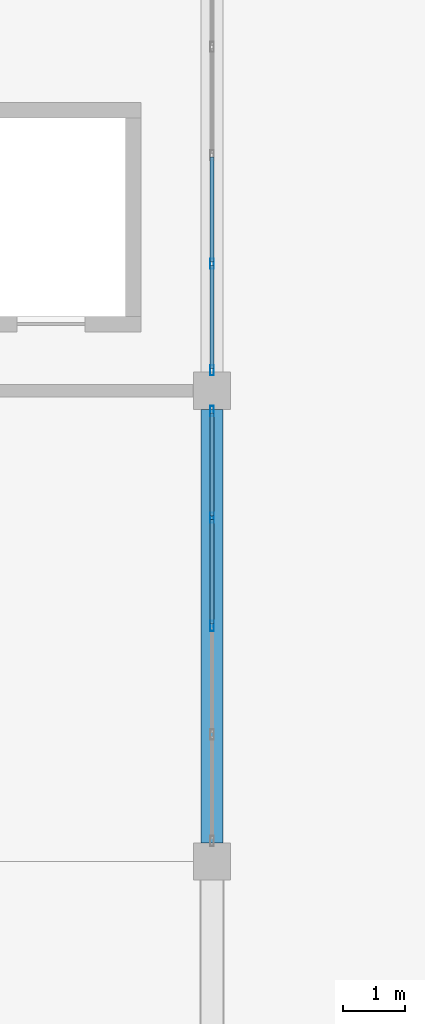
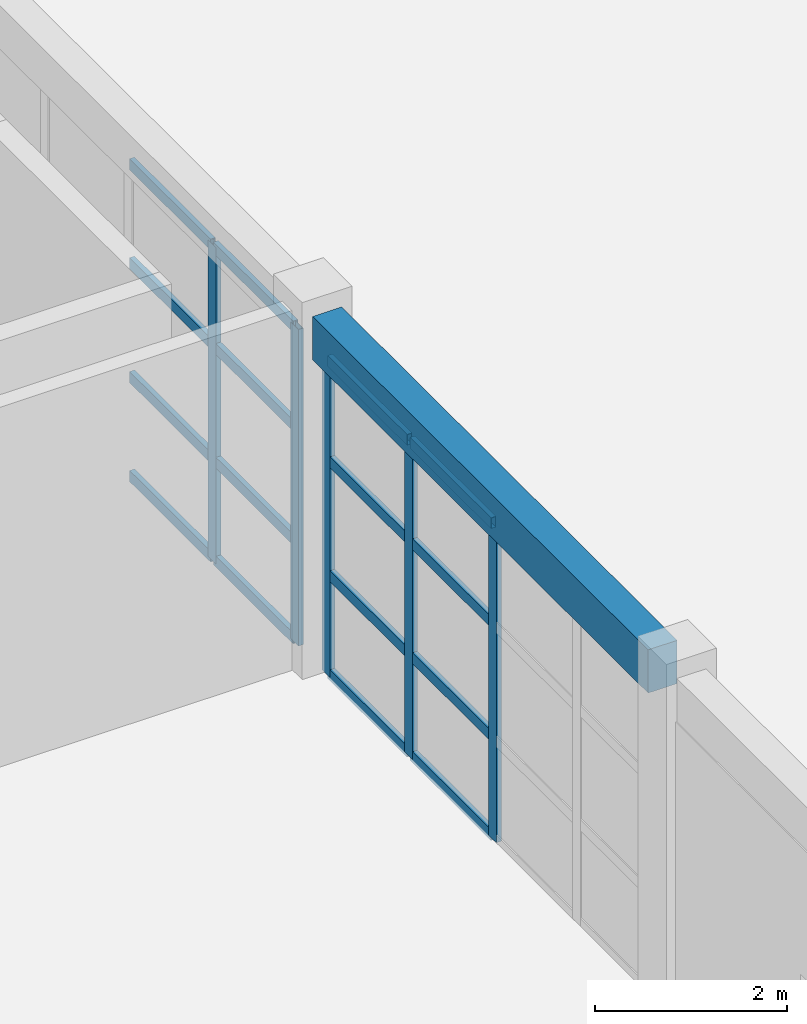
# One storey, part 16 of 32: 21 members, 1 beam, 2 elements without a shape of their own.
"""IFC4 building model written with IfcOpenShell, lengths in metres."""

from ifc_helpers import new_model, si_unit, direction, frame, origin, origin_2d, place, context, subcontext, project, spatial, rectangle, hollow_rectangle, extrude, material, material_profile, profile_set, type_object, element, aggregate, save


model = new_model("IFC4")

# Units and contexts
model_context = context("Model", 3, precision=1e-05, world=origin(), true_north=direction((0.0, 1.0)))
body_context = subcontext(model_context, "Body", "Model", "MODEL_VIEW")
ifc_project = project(units=[si_unit("LENGTHUNIT", "METRE"), si_unit("AREAUNIT", "SQUARE_METRE"), si_unit("VOLUMEUNIT", "CUBIC_METRE"), si_unit("PLANEANGLEUNIT", "RADIAN"), si_unit("MASSUNIT", "GRAM", prefix="KILO")], contexts=[model_context])

# Site, building, storey
site_placement = place(None, origin())
site = spatial("IfcSite", under=ifc_project, at=site_placement, CompositionType="ELEMENT")
building_placement = place(site_placement, origin())
building = spatial("IfcBuilding", under=site, at=building_placement, Name="Zantavel Square City Hall", CompositionType="ELEMENT")
storey_placement = place(building_placement, frame((0.0, 0.0, 23.699951171875)))
storey = spatial("IfcBuildingStorey", under=building, at=storey_placement, Name="L06", CompositionType="ELEMENT", Elevation=23.699951171875)

# Curtain wall, members
ifc_material_1 = material(Name="Anodised aluminium 6063-T6", Category="aluminium")
curtain_wall_type = type_object("IfcCurtainWallType", Name="Curtain Wall TRV1 7000x4030", PredefinedType="USERDEFINED", material=ifc_material_1)
curtain_wall_1_placement = place(storey_placement, origin())
curtain_wall_1 = element("IfcCurtainWall", 1, at=curtain_wall_1_placement, inside=storey, type_object=curtain_wall_type, Name="L06 Glazed Curtain Wall CW-L06-151", ObjectType="GLAZED CURTAIN WALL", PredefinedType="USERDEFINED")
ifc_material_profile_1 = material_profile(ifc_material_1, hollow_rectangle(XDim=0.06005859375, YDim=0.1650390625, WallThickness=0.00390625, at=origin_2d()), Name="ALU 60x165x4")
ifc_profile_set_1 = profile_set([ifc_material_profile_1], Name="Anodised aluminium 6063-T6")
member_type_1 = type_object("IfcMemberType", Name="CW Council Gallery Mullion ALU 60x165x4", PredefinedType="MULLION", material=ifc_profile_set_1)
member_1_placement = place(storey_placement, frame((104.0, 55.25, 0.0), z_axis=(0.0, 0.0, 1.0), x_axis=(1.0, 0.0, 0.0)))
member_1 = element("IfcMember", 2, at=member_1_placement, type_object=member_type_1, Name="CW-151 mullion 4", PredefinedType="MULLION", context=body_context, shape_type="SweptSolid", body=[
    extrude(hollow_rectangle(XDim=0.06005859375, YDim=0.1650390625, WallThickness=0.00390625, at=origin_2d()), origin(), (0.0, 0.0, 1.0), 4.030029296875),
])
member_2_placement = place(storey_placement, frame((104.0, 53.530029296875, 0.0), z_axis=(0.0, 0.0, 1.0), x_axis=(1.0, 0.0, 0.0)))
member_2 = element("IfcMember", 3, at=member_2_placement, type_object=member_type_1, Name="CW-151 mullion 5", PredefinedType="MULLION", context=body_context, shape_type="SweptSolid", body=[
    extrude(hollow_rectangle(XDim=0.06005859375, YDim=0.1650390625, WallThickness=0.00390625, at=origin_2d()), origin(), (0.0, 0.0, 1.0), 4.030029296875),
])

curtain_wall_2_placement = place(storey_placement, origin())
curtain_wall_2 = element("IfcCurtainWall", 4, at=curtain_wall_2_placement, inside=storey, type_object=curtain_wall_type, Name="L06 Glazed Curtain Wall CW-L06-152", ObjectType="GLAZED CURTAIN WALL", PredefinedType="USERDEFINED")
member_3_placement = place(storey_placement, frame((104.0, 52.8701171875, 0.0), z_axis=(0.0, 0.0, 1.0), x_axis=(1.0, 0.0, 0.0)))
member_3 = element("IfcMember", 5, at=member_3_placement, type_object=member_type_1, Name="CW-152 mullion 1", PredefinedType="MULLION", context=body_context, shape_type="SweptSolid", body=[
    extrude(hollow_rectangle(XDim=0.06005859375, YDim=0.1650390625, WallThickness=0.00390625, at=origin_2d()), origin(), (0.0, 0.0, 1.0), 4.030029296875),
])
member_4_placement = place(storey_placement, frame((104.0, 51.14990234375, 0.0), z_axis=(0.0, 0.0, 1.0), x_axis=(1.0, 0.0, 0.0)))
member_4 = element("IfcMember", 6, at=member_4_placement, type_object=member_type_1, Name="CW-152 mullion 2", PredefinedType="MULLION", context=body_context, shape_type="SweptSolid", body=[
    extrude(hollow_rectangle(XDim=0.06005859375, YDim=0.1650390625, WallThickness=0.00390625, at=origin_2d()), origin(), (0.0, 0.0, 1.0), 4.030029296875),
])
member_5_placement = place(storey_placement, frame((104.0, 49.39990234375, 0.0), z_axis=(0.0, 0.0, 1.0), x_axis=(1.0, 0.0, 0.0)))
member_5 = element("IfcMember", 7, at=member_5_placement, type_object=member_type_1, Name="CW-152 mullion 3", PredefinedType="MULLION", context=body_context, shape_type="SweptSolid", body=[
    extrude(hollow_rectangle(XDim=0.06005859375, YDim=0.1650390625, WallThickness=0.00390625, at=origin_2d()), origin(), (0.0, 0.0, 1.0), 4.030029296875),
])

# Member
ifc_material_profile_2 = material_profile(ifc_material_1, hollow_rectangle(XDim=0.06005859375, YDim=0.139892578125, WallThickness=0.00390625, at=origin_2d()), Name="ALU 60x140x4")
ifc_profile_set_2 = profile_set([ifc_material_profile_2], Name="Anodised aluminium 6063-T6")
member_type_2 = type_object("IfcMemberType", Name="CW Transom ALU 60x140x4", PredefinedType="USERDEFINED", material=ifc_profile_set_2)
member_6_placement = place(storey_placement, frame((104.0, 56.969970703125, 0.030029296875), z_axis=(0.0, -1.0, 0.0), x_axis=(1.0, 0.0, 0.0)))
member_6 = element("IfcMember", 8, at=member_6_placement, type_object=member_type_2, Name="CW-151 transom 3.1", ObjectType="TRANSOM", PredefinedType="USERDEFINED", context=body_context, shape_type="SweptSolid", body=[
    extrude(hollow_rectangle(XDim=0.06005859375, YDim=0.139892578125, WallThickness=0.00390625, at=origin_2d()), origin(), (0.0, 0.0, 1.0), 1.68994140625),
])

member_7_placement = place(storey_placement, frame((104.0, 56.969970703125, 1.2900390625), z_axis=(0.0, -1.0, 0.0), x_axis=(1.0, 0.0, 0.0)))
member_7 = element("IfcMember", 9, at=member_7_placement, type_object=member_type_2, Name="CW-151 transom 3.2", ObjectType="TRANSOM", PredefinedType="USERDEFINED", context=body_context, shape_type="SweptSolid", body=[
    extrude(hollow_rectangle(XDim=0.06005859375, YDim=0.139892578125, WallThickness=0.00390625, at=origin_2d()), origin(), (0.0, 0.0, 1.0), 1.68994140625),
])

member_8_placement = place(storey_placement, frame((104.0, 56.969970703125, 2.739990234375), z_axis=(0.0, -1.0, 0.0), x_axis=(1.0, 0.0, 0.0)))
member_8 = element("IfcMember", 10, at=member_8_placement, type_object=member_type_2, Name="CW-151 transom 3.3", ObjectType="TRANSOM", PredefinedType="USERDEFINED", context=body_context, shape_type="SweptSolid", body=[
    extrude(hollow_rectangle(XDim=0.06005859375, YDim=0.139892578125, WallThickness=0.00390625, at=origin_2d()), origin(), (0.0, 0.0, 1.0), 1.68994140625),
])

member_9_placement = place(storey_placement, frame((104.0, 56.969970703125, 4.0), z_axis=(0.0, -1.0, 0.0), x_axis=(1.0, 0.0, 0.0)))
member_9 = element("IfcMember", 11, at=member_9_placement, type_object=member_type_2, Name="CW-151 transom 3.4", ObjectType="TRANSOM", PredefinedType="USERDEFINED", context=body_context, shape_type="SweptSolid", body=[
    extrude(hollow_rectangle(XDim=0.06005859375, YDim=0.139892578125, WallThickness=0.00390625, at=origin_2d()), origin(), (0.0, 0.0, 1.0), 1.68994140625),
])

member_10_placement = place(storey_placement, frame((104.0, 55.219970703125, 0.030029296875), z_axis=(0.0, -1.0, 0.0), x_axis=(1.0, 0.0, 0.0)))
member_10 = element("IfcMember", 12, at=member_10_placement, type_object=member_type_2, Name="CW-151 transom 4.1", ObjectType="TRANSOM", PredefinedType="USERDEFINED", context=body_context, shape_type="SweptSolid", body=[
    extrude(hollow_rectangle(XDim=0.06005859375, YDim=0.139892578125, WallThickness=0.00390625, at=origin_2d()), origin(), (0.0, 0.0, 1.0), 1.659912109375),
])

member_11_placement = place(storey_placement, frame((104.0, 55.219970703125, 1.2900390625), z_axis=(0.0, -1.0, 0.0), x_axis=(1.0, 0.0, 0.0)))
member_11 = element("IfcMember", 13, at=member_11_placement, type_object=member_type_2, Name="CW-151 transom 4.2", ObjectType="TRANSOM", PredefinedType="USERDEFINED", context=body_context, shape_type="SweptSolid", body=[
    extrude(hollow_rectangle(XDim=0.06005859375, YDim=0.139892578125, WallThickness=0.00390625, at=origin_2d()), origin(), (0.0, 0.0, 1.0), 1.659912109375),
])

member_12_placement = place(storey_placement, frame((104.0, 55.219970703125, 2.739990234375), z_axis=(0.0, -1.0, 0.0), x_axis=(1.0, 0.0, 0.0)))
member_12 = element("IfcMember", 14, at=member_12_placement, type_object=member_type_2, Name="CW-151 transom 4.3", ObjectType="TRANSOM", PredefinedType="USERDEFINED", context=body_context, shape_type="SweptSolid", body=[
    extrude(hollow_rectangle(XDim=0.06005859375, YDim=0.139892578125, WallThickness=0.00390625, at=origin_2d()), origin(), (0.0, 0.0, 1.0), 1.659912109375),
])

member_13_placement = place(storey_placement, frame((104.0, 55.219970703125, 4.0), z_axis=(0.0, -1.0, 0.0), x_axis=(1.0, 0.0, 0.0)))
member_13 = element("IfcMember", 15, at=member_13_placement, type_object=member_type_2, Name="CW-151 transom 4.4", ObjectType="TRANSOM", PredefinedType="USERDEFINED", context=body_context, shape_type="SweptSolid", body=[
    extrude(hollow_rectangle(XDim=0.06005859375, YDim=0.139892578125, WallThickness=0.00390625, at=origin_2d()), origin(), (0.0, 0.0, 1.0), 1.659912109375),
])

aggregate(curtain_wall_1, [member_1, member_2, member_6, member_7, member_8, member_9, member_10, member_11, member_12, member_13])

member_14_placement = place(storey_placement, frame((104.0, 52.840087890625, 0.030029296875), z_axis=(0.0, -1.0, 0.0), x_axis=(1.0, 0.0, 0.0)))
member_14 = element("IfcMember", 16, at=member_14_placement, type_object=member_type_2, Name="CW-152 transom 1.1", ObjectType="TRANSOM", PredefinedType="USERDEFINED", context=body_context, shape_type="SweptSolid", body=[
    extrude(hollow_rectangle(XDim=0.06005859375, YDim=0.139892578125, WallThickness=0.00390625, at=origin_2d()), origin(), (0.0, 0.0, 1.0), 1.66015625),
])

member_15_placement = place(storey_placement, frame((104.0, 52.840087890625, 1.2900390625), z_axis=(0.0, -1.0, 0.0), x_axis=(1.0, 0.0, 0.0)))
member_15 = element("IfcMember", 17, at=member_15_placement, type_object=member_type_2, Name="CW-152 transom 1.2", ObjectType="TRANSOM", PredefinedType="USERDEFINED", context=body_context, shape_type="SweptSolid", body=[
    extrude(hollow_rectangle(XDim=0.06005859375, YDim=0.139892578125, WallThickness=0.00390625, at=origin_2d()), origin(), (0.0, 0.0, 1.0), 1.66015625),
])

member_16_placement = place(storey_placement, frame((104.0, 52.840087890625, 2.739990234375), z_axis=(0.0, -1.0, 0.0), x_axis=(1.0, 0.0, 0.0)))
member_16 = element("IfcMember", 18, at=member_16_placement, type_object=member_type_2, Name="CW-152 transom 1.3", ObjectType="TRANSOM", PredefinedType="USERDEFINED", context=body_context, shape_type="SweptSolid", body=[
    extrude(hollow_rectangle(XDim=0.06005859375, YDim=0.139892578125, WallThickness=0.00390625, at=origin_2d()), origin(), (0.0, 0.0, 1.0), 1.66015625),
])

member_17_placement = place(storey_placement, frame((104.0, 52.840087890625, 4.0), z_axis=(0.0, -1.0, 0.0), x_axis=(1.0, 0.0, 0.0)))
member_17 = element("IfcMember", 19, at=member_17_placement, type_object=member_type_2, Name="CW-152 transom 1.4", ObjectType="TRANSOM", PredefinedType="USERDEFINED", context=body_context, shape_type="SweptSolid", body=[
    extrude(hollow_rectangle(XDim=0.06005859375, YDim=0.139892578125, WallThickness=0.00390625, at=origin_2d()), origin(), (0.0, 0.0, 1.0), 1.66015625),
])

member_18_placement = place(storey_placement, frame((104.0, 51.1201171875, 0.030029296875), z_axis=(0.0, -1.0, 0.0), x_axis=(1.0, 0.0, 0.0)))
member_18 = element("IfcMember", 20, at=member_18_placement, type_object=member_type_2, Name="CW-152 transom 2.1", ObjectType="TRANSOM", PredefinedType="USERDEFINED", context=body_context, shape_type="SweptSolid", body=[
    extrude(hollow_rectangle(XDim=0.06005859375, YDim=0.139892578125, WallThickness=0.00390625, at=origin_2d()), origin(), (0.0, 0.0, 1.0), 1.690185546875),
])

member_19_placement = place(storey_placement, frame((104.0, 51.1201171875, 1.2900390625), z_axis=(0.0, -1.0, 0.0), x_axis=(1.0, 0.0, 0.0)))
member_19 = element("IfcMember", 21, at=member_19_placement, type_object=member_type_2, Name="CW-152 transom 2.2", ObjectType="TRANSOM", PredefinedType="USERDEFINED", context=body_context, shape_type="SweptSolid", body=[
    extrude(hollow_rectangle(XDim=0.06005859375, YDim=0.139892578125, WallThickness=0.00390625, at=origin_2d()), origin(), (0.0, 0.0, 1.0), 1.690185546875),
])

member_20_placement = place(storey_placement, frame((104.0, 51.1201171875, 2.739990234375), z_axis=(0.0, -1.0, 0.0), x_axis=(1.0, 0.0, 0.0)))
member_20 = element("IfcMember", 22, at=member_20_placement, type_object=member_type_2, Name="CW-152 transom 2.3", ObjectType="TRANSOM", PredefinedType="USERDEFINED", context=body_context, shape_type="SweptSolid", body=[
    extrude(hollow_rectangle(XDim=0.06005859375, YDim=0.139892578125, WallThickness=0.00390625, at=origin_2d()), origin(), (0.0, 0.0, 1.0), 1.690185546875),
])

member_21_placement = place(storey_placement, frame((104.0, 51.1201171875, 4.0), z_axis=(0.0, -1.0, 0.0), x_axis=(1.0, 0.0, 0.0)))
member_21 = element("IfcMember", 23, at=member_21_placement, type_object=member_type_2, Name="CW-152 transom 2.4", ObjectType="TRANSOM", PredefinedType="USERDEFINED", context=body_context, shape_type="SweptSolid", body=[
    extrude(hollow_rectangle(XDim=0.06005859375, YDim=0.139892578125, WallThickness=0.00390625, at=origin_2d()), origin(), (0.0, 0.0, 1.0), 1.690185546875),
])

aggregate(curtain_wall_2, [member_3, member_4, member_5, member_14, member_15, member_16, member_17, member_18, member_19, member_20, member_21])

# Beam
ifc_material_2 = material(Name="Concrete C35/45", Category="concrete")
ifc_material_profile_3 = material_profile(ifc_material_2, rectangle(XDim=0.35009765625, YDim=0.550048828125, at=origin_2d()), Name="RC 350x550")
ifc_profile_set_3 = profile_set([ifc_material_profile_3], Name="Concrete C35/45")
beam_type = type_object("IfcBeamType", Name="Secondary Beam RC 350x550 C35/45", PredefinedType="BEAM", material=ifc_profile_set_3)
beam_placement = place(storey_placement, frame((104.0, 45.89990234375, 4.304931640625), z_axis=(0.0, 1.0, 0.0), x_axis=(-1.0, 0.0, 0.0)))
element("IfcBeam", 24, at=beam_placement, inside=storey, type_object=beam_type, Name="L06 Beam BMY-L06-1040-0456", PredefinedType="BEAM", context=body_context, shape_type="SweptSolid", body=[
    extrude(rectangle(XDim=0.35009765625, YDim=0.550048828125, at=origin_2d()), origin(), (0.0, 0.0, 1.0), 7.0),
])

save(model, "model.ifc")
